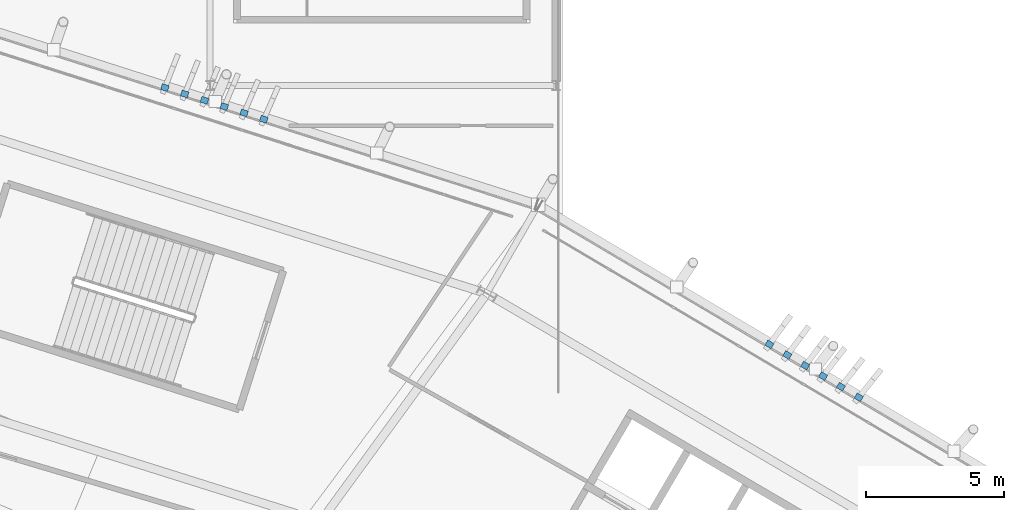
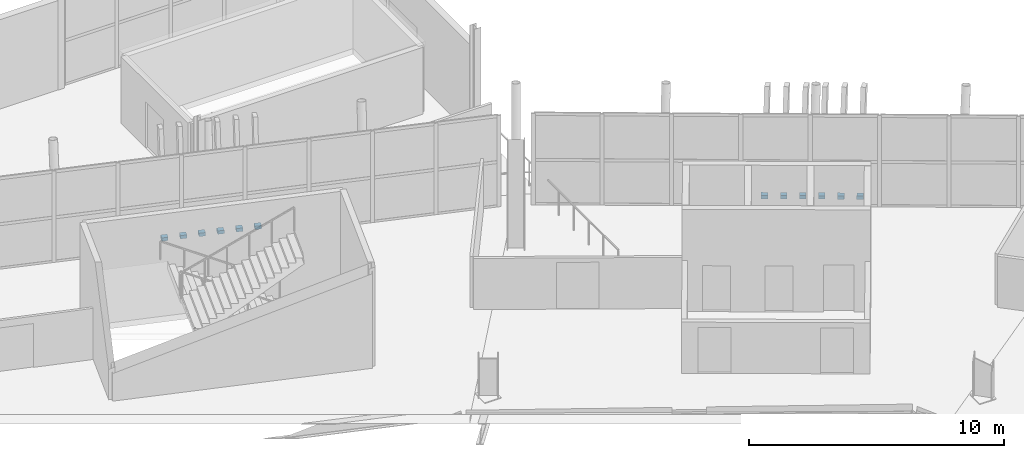
# One storey, part 138 of 168: 12 discrete accessories.
"""IFC4 building model written with IfcOpenShell, lengths in metres."""

from ifc_helpers import new_model, si_unit, direction, frame, origin, origin_2d, place, context, subcontext, project, spatial, rectangle, extrude, material, type_object, element, save


model = new_model("IFC4")

# Units and contexts
model_context = context("Model", 3, precision=1e-05, world=origin(), true_north=direction((0.0, 1.0)))
body_context = subcontext(model_context, "Body", "Model", "MODEL_VIEW")
ifc_project = project(units=[si_unit("LENGTHUNIT", "METRE"), si_unit("AREAUNIT", "SQUARE_METRE"), si_unit("VOLUMEUNIT", "CUBIC_METRE"), si_unit("PLANEANGLEUNIT", "RADIAN"), si_unit("MASSUNIT", "GRAM", prefix="KILO")], contexts=[model_context])

# Site, building, storey
site_placement = place(None, origin())
site = spatial("IfcSite", under=ifc_project, at=site_placement, CompositionType="ELEMENT")
building_placement = place(site_placement, origin())
building = spatial("IfcBuilding", under=site, at=building_placement, Name="Zlatoyarsky Gate Stadium", CompositionType="ELEMENT")
storey_placement = place(building_placement, frame((0.0, 0.0, 15.60009765625)))
storey = spatial("IfcBuildingStorey", under=building, at=storey_placement, Name="L03", CompositionType="ELEMENT", Elevation=15.60009765625)

# Discrete accessories
ifc_material = material(Name="Steel S355", Category="steel")
discrete_accessory_type = type_object("IfcDiscreteAccessoryType", Name="STEEL LOUVRE ANCHOR BRACKET 260X220X160", PredefinedType="BRACKET", material=ifc_material)
for number, where, z_axis, x_axis, name in (
    (1, (170.9296875, 137.739501953125, -0.02001953125), (0.0, 0.0, 1.0), (-0.860284550348, 0.509814174413, 0.0), "Louvre anchor bracket L03-03-1"),
    (2, (170.284423828125, 138.121826171875, -0.02001953125), (0.0, 0.0, 1.0), (-0.860284550348, 0.509814174413, 0.0), "Louvre anchor bracket L03-03-2"),
    (3, (169.639404296875, 138.504150390625, -0.02001953125), (0.0, 0.0, 1.0), (-0.860284550348, 0.509814174413, 0.0), "Louvre anchor bracket L03-03-3"),
    (4, (168.993896484375, 138.886474609375, -0.02001953125), (0.0, 0.0, 1.0), (-0.860284550348, 0.509814174413, 0.0), "Louvre anchor bracket L03-03-4"),
    (5, (168.348876953125, 139.268798828125, -0.02001953125), (0.0, 0.0, 1.0), (-0.860284550348, 0.509814174413, 0.0), "Louvre anchor bracket L03-03-5"),
    (6, (167.70361328125, 139.651123046875, -0.02001953125), (0.0, 0.0, 1.0), (-0.860284550348, 0.509814174413, 0.0), "Louvre anchor bracket L03-03-6"),
    (7, (149.4453125, 147.78076171875, -0.02001953125), (0.0, 0.0, 1.0), (-0.95245128845, 0.304690897682, 0.0), "Louvre anchor bracket L03-04-1"),
    (8, (148.73095703125, 148.00927734375, -0.02001953125), (0.0, 0.0, 1.0), (-0.95245128845, 0.304690897682, 0.0), "Louvre anchor bracket L03-04-2"),
    (9, (148.0166015625, 148.23779296875, -0.02001953125), (0.0, 0.0, 1.0), (-0.95245128845, 0.304690897682, 0.0), "Louvre anchor bracket L03-04-3"),
    (10, (147.30224609375, 148.46630859375, -0.02001953125), (0.0, 0.0, 1.0), (-0.95245128845, 0.304690897682, 0.0), "Louvre anchor bracket L03-04-4"),
    (11, (146.587890625, 148.69482421875, -0.02001953125), (0.0, 0.0, 1.0), (-0.95245128845, 0.304690897682, 0.0), "Louvre anchor bracket L03-04-5"),
    (12, (145.87353515625, 148.92333984375, -0.02001953125), (0.0, 0.0, 1.0), (-0.95245128845, 0.304690897682, 0.0), "Louvre anchor bracket L03-04-6"),
):
    element("IfcDiscreteAccessory", number, at=place(storey_placement, frame(where, z_axis=z_axis, x_axis=x_axis)), inside=storey, type_object=discrete_accessory_type, Name=name, PredefinedType="BRACKET", context=body_context, shape_type="SweptSolid", body=[
        extrude(rectangle(XDim=0.260009765625, YDim=0.219970703125, at=origin_2d()), origin(), (0.0, 0.0, 1.0), 0.159912109375),
    ])

save(model, "model.ifc")
